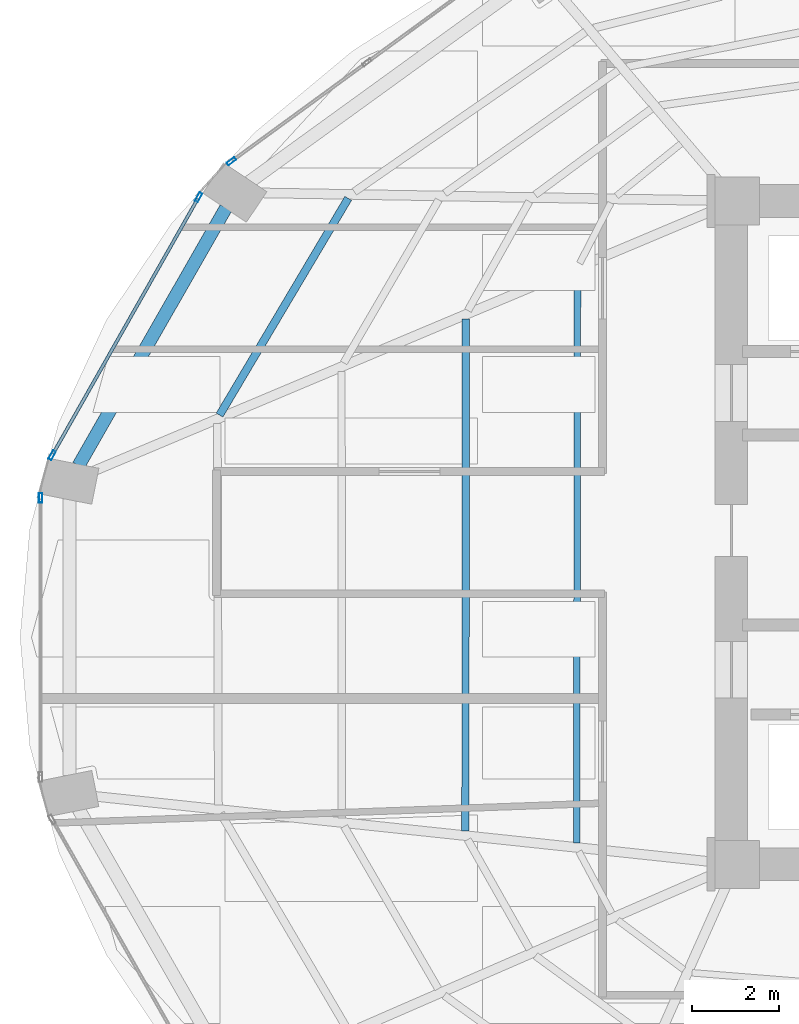
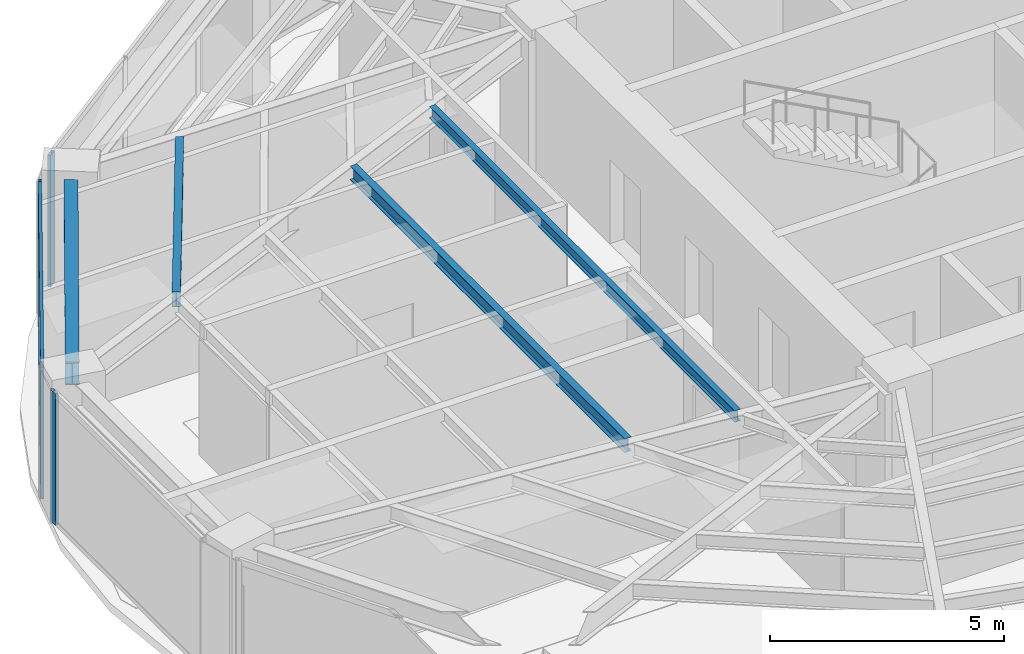
# One storey, part 8 of 24: 6 members, 4 beams, 3 elements without a shape of their own.
"""IFC4 building model written with IfcOpenShell, lengths in metres."""

import ifcopenshell
import ifcopenshell.guid

model = None  # the IFC model being written
_history = None  # IfcOwnerHistory: only IFC2X3 demands one
_inside = {}  # id of a spatial element -> (the spatial element, [elements in it])
_under = {}  # id of a project, library or spatial element -> (it, [spatial elements below it])
_declared = {}  # id of a project -> (the project, [libraries it declares])
_typed = {}  # id of a type object -> (the type object, [elements of that type])
_made_of = {}  # id of a material, layer set ... -> (it, [elements and type objects made of it])


def new_model(schema):
    """Start an empty IFC model of exactly this schema.

    Asked for "IFC4X3", IfcOpenShell would pick the latest addendum, in which some entities
    have other attributes; the version numbers below select the first issue.
    IFC2X3 requires an IfcOwnerHistory on every rooted entity: one is made here for all.
    """
    global model, _history
    if schema == "IFC4X3":
        model = ifcopenshell.file(schema_version=(4, 3, 0, 0))
    else:
        model = ifcopenshell.file(schema=schema)
    _inside.clear()
    _under.clear()
    _declared.clear()
    _typed.clear()
    _made_of.clear()
    _history = None
    if model.schema == "IFC2X3":
        org = make("IfcOrganization", Name="unknown")
        user = make(
            "IfcPersonAndOrganization",
            ThePerson=make("IfcPerson", FamilyName="unknown"),
            TheOrganization=org,
        )
        app = make(
            "IfcApplication",
            ApplicationDeveloper=org,
            Version="unknown",
            ApplicationFullName="unknown",
            ApplicationIdentifier="unknown",
        )
        _history = make(
            "IfcOwnerHistory",
            OwningUser=user,
            OwningApplication=app,
            ChangeAction="ADDED",
            CreationDate=0,
        )
    return model


def make(cls, **values):
    """One entity of the class cls with the attributes given. An attribute that is None is left unset."""
    return model.create_entity(
        cls, **{name: value for name, value in values.items() if value is not None}
    )


def rooted(cls, **values):
    """An entity with a GlobalId (a new one), such as an element, a storey or a relation."""
    return make(cls, GlobalId=ifcopenshell.guid.new(), OwnerHistory=_history, **values)


def si_unit(unit_type, name, prefix=None):
    """IfcSIUnit, for example si_unit("LENGTHUNIT", "METRE", prefix="MILLI")."""
    return make("IfcSIUnit", UnitType=unit_type, Prefix=prefix, Name=name)


def assignment(units):
    """IfcUnitAssignment: the units of a project."""
    return None if units is None else make("IfcUnitAssignment", Units=units)


def point(xyz):
    """IfcCartesianPoint."""
    return None if xyz is None else make("IfcCartesianPoint", Coordinates=xyz)


def direction(xyz):
    """IfcDirection."""
    return None if xyz is None else make("IfcDirection", DirectionRatios=xyz)


def frame(location, z_axis=None, x_axis=None):
    """IfcAxis2Placement3D, a coordinate frame: its origin and axes. An axis left out is left unset."""
    return make(
        "IfcAxis2Placement3D",
        Location=point(location),
        Axis=direction(z_axis),
        RefDirection=direction(x_axis),
    )


def frame_2d(location, x_axis=None):
    """IfcAxis2Placement2D, a coordinate frame in the plane: its origin and x axis."""
    return make(
        "IfcAxis2Placement2D", Location=point(location), RefDirection=direction(x_axis)
    )


def origin():
    """The frame at (0, 0, 0) with its axes left unset."""
    return frame((0.0, 0.0, 0.0))


def origin_2d():
    """The frame at (0, 0) in the plane with its x axis left unset."""
    return frame_2d((0.0, 0.0))


def place(relative_to, where):
    """IfcLocalPlacement: puts the frame where relative to a parent placement (None: the world)."""
    return make(
        "IfcLocalPlacement", PlacementRelTo=relative_to, RelativePlacement=where
    )


def context(
    kind, dimensions, precision=None, world=None, true_north=None, identifier=None
):
    """IfcGeometricRepresentationContext, for example the 3D "Model" context."""
    return make(
        "IfcGeometricRepresentationContext",
        ContextIdentifier=identifier,
        ContextType=kind,
        CoordinateSpaceDimension=dimensions,
        Precision=precision,
        WorldCoordinateSystem=world,
        TrueNorth=true_north,
    )


def subcontext(parent, identifier, kind, view, scale=None):
    """IfcGeometricRepresentationSubContext, for example "Body" below "Model"."""
    return make(
        "IfcGeometricRepresentationSubContext",
        ContextIdentifier=identifier,
        ContextType=kind,
        ParentContext=parent,
        TargetScale=scale,
        TargetView=view,
    )


def project(units=None, contexts=None):
    """IfcProject with its units and contexts."""
    return rooted(
        "IfcProject",
        Name="project",
        RepresentationContexts=contexts,
        UnitsInContext=assignment(units),
    )


def spatial(cls, under=None, at=None, **own):
    """A site, building, storey or space (cls), placed at a placement, below another one or the project."""
    s = rooted(cls, ObjectPlacement=at, **own)
    if under is not None:
        _under.setdefault(under.id(), (under, []))[1].append(s)
    return s


def profile(cls, at=None, kind="AREA", **sizes):
    """A parametric profile (cls). Its sizes go by their IFC names, for example OverallWidth=200.0."""
    return make(cls, ProfileType=kind, Position=at, **sizes)


def hollow_rectangle(**sizes):
    """IfcRectangleHollowProfileDef."""
    return profile("IfcRectangleHollowProfileDef", **sizes)


def i_section(**sizes):
    """IfcIShapeProfileDef."""
    return profile("IfcIShapeProfileDef", **sizes)


def extrude(swept, where, along, depth):
    """IfcExtrudedAreaSolid: the profile swept, set in the frame where, extruded along a direction by depth."""
    return make(
        "IfcExtrudedAreaSolid",
        SweptArea=swept,
        Position=where,
        ExtrudedDirection=direction(along),
        Depth=depth,
    )


def shape(context_of_items, identifier, shape_type, items):
    """IfcShapeRepresentation: the items that make up one representation, for example the "Body"."""
    return make(
        "IfcShapeRepresentation",
        ContextOfItems=context_of_items,
        RepresentationIdentifier=identifier,
        RepresentationType=shape_type,
        Items=items,
    )


def material(Name=None, Category=None):
    """IfcMaterial."""
    return make("IfcMaterial", Name=Name, Category=Category)


def layer(
    of_material, thickness, ventilated=None, Name=None, Category=None, Priority=None
):
    """IfcMaterialLayer: one layer of a wall or slab, of a material (None: an air gap)."""
    return make(
        "IfcMaterialLayer",
        Material=of_material,
        LayerThickness=thickness,
        IsVentilated=ventilated,
        Name=Name,
        Category=Category,
        Priority=Priority,
    )


def layer_set(layers, Name=None):
    """IfcMaterialLayerSet."""
    return make("IfcMaterialLayerSet", MaterialLayers=layers, LayerSetName=Name)


def material_profile(
    of_material, cross_section, Name=None, Category=None, Priority=None
):
    """IfcMaterialProfile: a cross section and its material."""
    return make(
        "IfcMaterialProfile",
        Name=Name,
        Material=of_material,
        Profile=cross_section,
        Priority=Priority,
        Category=Category,
    )


def profile_set(profiles, Name=None, composite=None):
    """IfcMaterialProfileSet."""
    return make(
        "IfcMaterialProfileSet",
        Name=Name,
        MaterialProfiles=profiles,
        CompositeProfile=composite,
    )


def made_of(thing, what):
    """Note that an element or type object is made of a material, layer set ...; save() writes the relation."""
    if what is not None:
        _made_of.setdefault(what.id(), (what, []))[1].append(thing)
    return thing


def type_object(cls, material=None, **own):
    """A type object (cls), such as IfcWallType, which elements share."""
    return made_of(rooted(cls, **own), material)


def element(
    cls,
    number,
    at=None,
    inside=None,
    cuts=None,
    type_object=None,
    material=None,
    context=None,
    identifier="Body",
    shape_type=None,
    held_by="IfcProductDefinitionShape",
    body=None,
    shapes=None,
    **own,
):
    """One element of the class cls, such as IfcWall. Its Tag is "e" and its number.

    at: its placement. inside: the storey or other place that contains it. cuts: it is an
    opening in that element (IfcRelVoidsElement). A single representation is given by context,
    identifier, shape_type and body (its items); several are given by shapes. held_by: the class
    of the entity that holds the representations. save() writes the other relations.
    """
    e = rooted(cls, Tag="e%d" % number, ObjectPlacement=at, **own)
    if body is not None:
        shapes = [shape(context, identifier, shape_type, body)]
    if shapes is not None:
        e.Representation = make(held_by, Representations=shapes)
    if inside is not None:
        _inside.setdefault(inside.id(), (inside, []))[1].append(e)
    if cuts is not None:
        rooted(
            "IfcRelVoidsElement", RelatingBuildingElement=cuts, RelatedOpeningElement=e
        )
    if type_object is not None:
        _typed.setdefault(type_object.id(), (type_object, []))[1].append(e)
    return made_of(e, material)


def aggregate(whole, parts):
    """IfcRelAggregates: a whole, such as a stair, and the parts it consists of."""
    return rooted("IfcRelAggregates", RelatingObject=whole, RelatedObjects=parts)


def save(model, path):
    """Write the relations noted so far, then the file.

    IfcRelAggregates (storeys below a building ...), IfcRelContainedInSpatialStructure (elements
    in a storey), IfcRelDefinesByType, IfcRelAssociatesMaterial and IfcRelDeclares: one each for
    every whole, place, type object, material and project.
    """
    for whole, parts in _under.values():
        aggregate(whole, parts)
    for where, things in _inside.values():
        rooted(
            "IfcRelContainedInSpatialStructure",
            RelatedElements=things,
            RelatingStructure=where,
        )
    for kind, things in _typed.values():
        rooted("IfcRelDefinesByType", RelatedObjects=things, RelatingType=kind)
    for what, things in _made_of.values():
        rooted("IfcRelAssociatesMaterial", RelatedObjects=things, RelatingMaterial=what)
    for by, libraries in _declared.values():
        rooted("IfcRelDeclares", RelatingContext=by, RelatedDefinitions=libraries)
    model.write(path)


model = new_model("IFC4")

# Units and contexts
model_context = context("Model", 3, precision=1e-05, world=origin(), true_north=direction((0.0, 1.0)))
body_context = subcontext(model_context, "Body", "Model", "MODEL_VIEW")
ifc_project = project(units=[si_unit("LENGTHUNIT", "METRE"), si_unit("AREAUNIT", "SQUARE_METRE"), si_unit("VOLUMEUNIT", "CUBIC_METRE"), si_unit("PLANEANGLEUNIT", "RADIAN"), si_unit("MASSUNIT", "GRAM", prefix="KILO")], contexts=[model_context])

# Site, building, storey
site_placement = place(None, origin())
site = spatial("IfcSite", under=ifc_project, at=site_placement, CompositionType="ELEMENT")
building_placement = place(site_placement, origin())
building = spatial("IfcBuilding", under=site, at=building_placement, Name="Lazwardi Medical Tower", CompositionType="ELEMENT")
storey_placement = place(building_placement, frame((0.0, 0.0, 99.98388671875)))
storey = spatial("IfcBuildingStorey", under=building, at=storey_placement, Name="L25", CompositionType="ELEMENT", Elevation=99.98388671875)

# Beams
ifc_material_1 = material(Name="Steel S355", Category="steel")
ifc_material_profile_1 = material_profile(ifc_material_1, i_section(OverallWidth=0.300048828125, OverallDepth=0.60009765625, WebThickness=0.015380859375, FlangeThickness=0.030029296875, at=origin_2d()), Name="HEB 600")
ifc_profile_set_1 = profile_set([ifc_material_profile_1], Name="Steel S355")
beam_type_1 = type_object("IfcBeamType", Name="BM-RB-Z2", PredefinedType="BEAM", material=ifc_profile_set_1)
beam_1_placement = place(storey_placement, frame((14.718505859375, 35.438720703125, 3.128173828125), z_axis=(-0.496653025517, -0.867949176072, 0.0), x_axis=(0.867949176072, -0.496653025517, 0.0)))
element("IfcBeam", 1, at=beam_1_placement, inside=storey, type_object=beam_type_1, Name="Ring beam RB-03 B11 L25", PredefinedType="BEAM", context=body_context, shape_type="SweptSolid", body=[
    extrude(i_section(OverallWidth=0.300048828125, OverallDepth=0.60009765625, WebThickness=0.015380859375, FlangeThickness=0.030029296875, at=origin_2d()), origin(), (0.0, 0.0, 1.0), 6.80078125),
])
ifc_material_profile_2 = material_profile(ifc_material_1, i_section(OverallWidth=0.179931640625, OverallDepth=0.39990234375, WebThickness=0.008544921875, FlangeThickness=0.013427734375, at=origin_2d()), Name="IPE 400")
ifc_profile_set_2 = profile_set([ifc_material_profile_2], Name="Steel S355")
beam_type_2 = type_object("IfcBeamType", Name="BM-SJ-01", PredefinedType="JOIST", material=ifc_profile_set_2)
beam_2_placement = place(storey_placement, frame((17.52099609375, 35.659423828125, 3.22802734375), z_axis=(-0.510499691073, -0.859877936346, 0.0), x_axis=(0.859877936346, -0.510499691073, 0.0)))
element("IfcBeam", 2, at=beam_2_placement, inside=storey, type_object=beam_type_2, Name="Secondary joist SJ-01 R1 B11 L25", PredefinedType="JOIST", context=body_context, shape_type="SweptSolid", body=[
    extrude(i_section(OverallWidth=0.179931640625, OverallDepth=0.39990234375, WebThickness=0.008544921875, FlangeThickness=0.013427734375, at=origin_2d()), origin(), (0.0, 0.0, 1.0), 5.776123046875),
])
ifc_material_profile_3 = material_profile(ifc_material_1, i_section(OverallWidth=0.169921875, OverallDepth=0.360107421875, WebThickness=0.008056640625, FlangeThickness=0.0126953125, at=origin_2d()), Name="IPE 360")
ifc_profile_set_3 = profile_set([ifc_material_profile_3], Name="Steel S355")
beam_type_3 = type_object("IfcBeamType", Name="BM-SJ-02", PredefinedType="JOIST", material=ifc_profile_set_3)
beam_3_placement = place(storey_placement, frame((20.212890625, 32.892578125, 3.248046875), z_axis=(-0.000561961365, -0.9999998421, 0.0), x_axis=(0.9999998421, -0.000561961365, 0.0)))
element("IfcBeam", 3, at=beam_3_placement, inside=storey, type_object=beam_type_3, Name="Secondary joist SJ-02 R3 B12 L25", PredefinedType="JOIST", context=body_context, shape_type="SweptSolid", body=[
    extrude(i_section(OverallWidth=0.169921875, OverallDepth=0.360107421875, WebThickness=0.008056640625, FlangeThickness=0.0126953125, at=origin_2d()), origin(), (0.0, 0.0, 1.0), 11.72998046875),
])
ifc_material_profile_4 = material_profile(ifc_material_1, i_section(OverallWidth=0.14990234375, OverallDepth=0.300048828125, WebThickness=0.007080078125, FlangeThickness=0.0107421875, at=origin_2d()), Name="IPE 300")
ifc_profile_set_4 = profile_set([ifc_material_profile_4], Name="Steel S355")
beam_type_4 = type_object("IfcBeamType", Name="BM-SJ-03", PredefinedType="JOIST", material=ifc_profile_set_4)
beam_4_placement = place(storey_placement, frame((22.77490234375, 33.97021484375, 3.278076171875), z_axis=(-0.00156809843, -0.999998770533, 0.0), x_axis=(0.999998770533, -0.00156809843, 0.0)))
element("IfcBeam", 4, at=beam_4_placement, inside=storey, type_object=beam_type_4, Name="Secondary joist SJ-03 R4 B12 L25", PredefinedType="JOIST", context=body_context, shape_type="SweptSolid", body=[
    extrude(i_section(OverallWidth=0.14990234375, OverallDepth=0.300048828125, WebThickness=0.007080078125, FlangeThickness=0.0107421875, at=origin_2d()), origin(), (0.0, 0.0, 1.0), 13.078125),
])

# Curtain wall, member
ifc_material_2 = material(Name="Anodised bronze aluminium and solar control glazing", Category="aluminium")
ifc_layer = layer(ifc_material_2, 0.195068359375)
ifc_layer_set = layer_set([ifc_layer], Name="Anodised bronze aluminium and solar control glazing")
curtain_wall_type = type_object("IfcCurtainWallType", Name="CW-SYS-03", PredefinedType="NOTDEFINED", material=ifc_layer_set)
curtain_wall_1_placement = place(storey_placement, origin())
curtain_wall_1 = element("IfcCurtainWall", 5, at=curtain_wall_1_placement, inside=storey, type_object=curtain_wall_type, Name="L25 Unitised bronze curtain wall CW-03", PredefinedType="NOTDEFINED")
ifc_material_3 = material(Name="Anodised bronze aluminium", Category="aluminium")
ifc_material_profile_5 = material_profile(ifc_material_3, hollow_rectangle(XDim=0.074951171875, YDim=0.219970703125, WallThickness=0.00390625, at=origin_2d()), Name="ALU-MULLION 220x75x4")
ifc_profile_set_5 = profile_set([ifc_material_profile_5], Name="Anodised bronze aluminium")
member_type_1 = type_object("IfcMemberType", Name="CW-MUL-01", PredefinedType="MULLION", material=ifc_profile_set_5)
member_1_placement = place(storey_placement, frame((14.844970703125, 36.5087890625, 0.0), z_axis=(0.0, 0.0, 1.0), x_axis=(0.589530882802, -0.807745837639, 0.0)))
member_1 = element("IfcMember", 6, at=member_1_placement, type_object=member_type_1, Name="CW-03 mullion 3", PredefinedType="MULLION", context=body_context, shape_type="SweptSolid", body=[
    extrude(hollow_rectangle(XDim=0.074951171875, YDim=0.219970703125, WallThickness=0.00390625, at=origin_2d()), origin(), (0.0, 0.0, 1.0), 3.42822265625),
])
aggregate(curtain_wall_1, [member_1])

# Curtain wall, members
curtain_wall_2_placement = place(storey_placement, origin())
curtain_wall_2 = element("IfcCurtainWall", 7, at=curtain_wall_2_placement, inside=storey, type_object=curtain_wall_type, Name="L25 Unitised bronze curtain wall CW-03", PredefinedType="NOTDEFINED")
member_2_placement = place(storey_placement, frame((14.0927734375, 35.685791015625, 0.0), z_axis=(0.0, 0.0, 1.0), x_axis=(0.869687265712, -0.493603140041, 0.0)))
member_2 = element("IfcMember", 8, at=member_2_placement, type_object=member_type_1, Name="CW-03 mullion 1", PredefinedType="MULLION", context=body_context, shape_type="SweptSolid", body=[
    extrude(hollow_rectangle(XDim=0.074951171875, YDim=0.219970703125, WallThickness=0.00390625, at=origin_2d()), origin(), (0.0, 0.0, 1.0), 3.42822265625),
])
member_3_placement = place(storey_placement, frame((10.7373046875, 29.77392578125, 0.0), z_axis=(0.0, 0.0, 1.0), x_axis=(0.869687265712, -0.493603140041, 0.0)))
member_3 = element("IfcMember", 9, at=member_3_placement, type_object=member_type_1, Name="CW-03 mullion 2", PredefinedType="MULLION", context=body_context, shape_type="SweptSolid", body=[
    extrude(hollow_rectangle(XDim=0.074951171875, YDim=0.219970703125, WallThickness=0.00390625, at=origin_2d()), origin(), (0.0, 0.0, 1.0), 3.42822265625),
])

# Curtain wall, member
curtain_wall_3_placement = place(storey_placement, origin())
curtain_wall_3 = element("IfcCurtainWall", 10, at=curtain_wall_3_placement, inside=storey, type_object=curtain_wall_type, Name="L25 Unitised bronze curtain wall CW-03", PredefinedType="NOTDEFINED")
member_4_placement = place(storey_placement, frame((10.471923828125, 28.79736328125, 0.0), z_axis=(0.0, 0.0, 1.0), x_axis=(1.0, 0.0, 0.0)))
member_4 = element("IfcMember", 11, at=member_4_placement, type_object=member_type_1, Name="CW-03 mullion 1", PredefinedType="MULLION", context=body_context, shape_type="SweptSolid", body=[
    extrude(hollow_rectangle(XDim=0.074951171875, YDim=0.219970703125, WallThickness=0.00390625, at=origin_2d()), origin(), (0.0, 0.0, 1.0), 3.42822265625),
])
aggregate(curtain_wall_3, [member_4])

# Member
ifc_material_profile_6 = material_profile(ifc_material_3, hollow_rectangle(XDim=0.074951171875, YDim=0.159912109375, WallThickness=0.00390625, at=origin_2d()), Name="ALU-TRANSOM 160x75x4")
ifc_profile_set_6 = profile_set([ifc_material_profile_6], Name="Anodised bronze aluminium")
member_type_2 = type_object("IfcMemberType", Name="CW-TRN-01", PredefinedType="USERDEFINED", material=ifc_profile_set_6)
member_5_placement = place(storey_placement, frame((14.074462890625, 35.6533203125, 0.03759765625), z_axis=(-0.493614427365, -0.869680859337, 0.0), x_axis=(0.869680859337, -0.493614427365, 0.0)))
member_5 = element("IfcMember", 12, at=member_5_placement, type_object=member_type_2, Name="CW-03 transom 1.1", ObjectType="TRANSOM", PredefinedType="USERDEFINED", context=body_context, shape_type="SweptSolid", body=[
    extrude(hollow_rectangle(XDim=0.074951171875, YDim=0.159912109375, WallThickness=0.00390625, at=origin_2d()), origin(), (0.0, 0.0, 1.0), 6.72314453125),
])

member_6_placement = place(storey_placement, frame((14.074462890625, 35.6533203125, 3.390625), z_axis=(-0.493614427365, -0.869680859337, 0.0), x_axis=(0.869680859337, -0.493614427365, 0.0)))
member_6 = element("IfcMember", 13, at=member_6_placement, type_object=member_type_2, Name="CW-03 transom 1.2", ObjectType="TRANSOM", PredefinedType="USERDEFINED", context=body_context, shape_type="SweptSolid", body=[
    extrude(hollow_rectangle(XDim=0.074951171875, YDim=0.159912109375, WallThickness=0.00390625, at=origin_2d()), origin(), (0.0, 0.0, 1.0), 6.72314453125),
])

aggregate(curtain_wall_2, [member_2, member_3, member_5, member_6])

save(model, "model.ifc")
